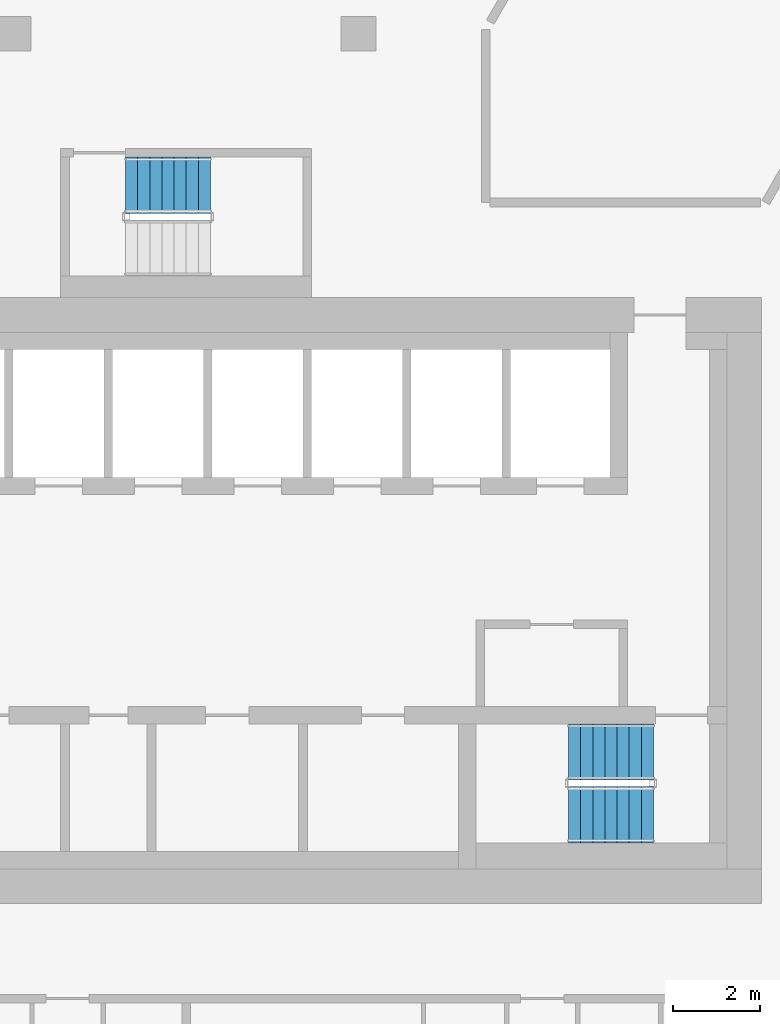
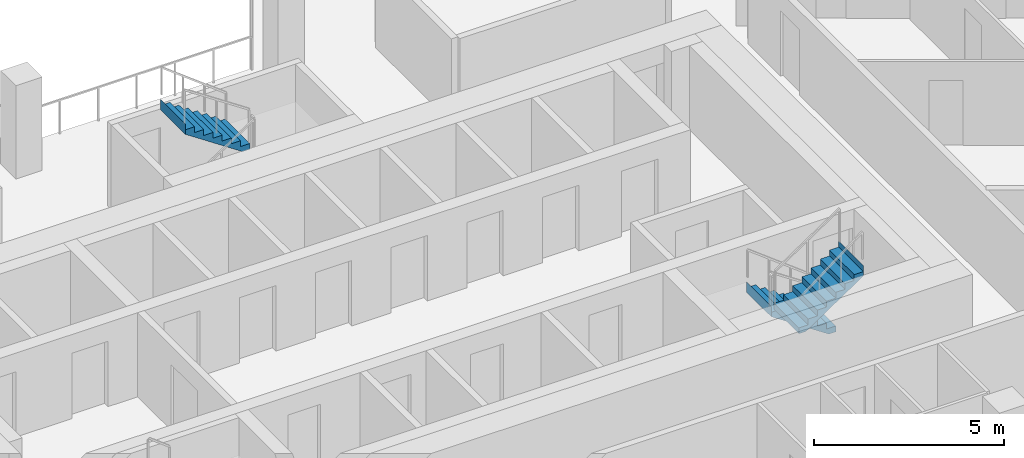
# One storey, part 11 of 15: 3 stair flights, 2 elements without a shape of their own.
"""IFC4 building model written with IfcOpenShell, lengths in metres."""

from ifc_helpers import new_model, si_unit, direction, frame, origin, place, context, subcontext, project, spatial, triangles, material, type_object, element, aggregate, save


model = new_model("IFC4")

# Units and contexts
model_context = context("Model", 3, precision=1e-05, world=origin(), true_north=direction((0.0, 1.0)))
body_context = subcontext(model_context, "Body", "Model", "MODEL_VIEW")
ifc_project = project(units=[si_unit("LENGTHUNIT", "METRE"), si_unit("AREAUNIT", "SQUARE_METRE"), si_unit("VOLUMEUNIT", "CUBIC_METRE"), si_unit("PLANEANGLEUNIT", "RADIAN"), si_unit("MASSUNIT", "GRAM", prefix="KILO")], contexts=[model_context])

# Site, building, storey
site_placement = place(None, origin())
site = spatial("IfcSite", under=ifc_project, at=site_placement, CompositionType="ELEMENT")
building_placement = place(site_placement, origin())
building = spatial("IfcBuilding", under=site, at=building_placement, Name="Beryl Residences", CompositionType="ELEMENT")
storey_placement = place(building_placement, frame((0.0, 0.0, 129.60009765625)))
storey = spatial("IfcBuildingStorey", under=building, at=storey_placement, Name="L39", CompositionType="ELEMENT", Elevation=129.60009765625)

# Stair, stair flights
ifc_material_1 = material(Name="Concrete C40/50", Category="concrete")
stair_type = type_object("IfcStairType", Name="ST1 protected exit stair, half-turn, 1300 mm flights", PredefinedType="HALF_TURN_STAIR", material=ifc_material_1)
stair_1_placement = place(storey_placement, origin())
stair_1 = element("IfcStair", 1, at=stair_1_placement, inside=storey, type_object=stair_type, Name="L39 PROTECTED EXIT STAIR ST-3", PredefinedType="HALF_TURN_STAIR")
ifc_material_2 = material(Name="Concrete C40/50", Category="concrete")
stair_flight_type = type_object("IfcStairFlightType", Name="SF1 stair flight 1300 mm", PredefinedType="STRAIGHT", material=ifc_material_2)
stair_flight_1_placement = place(storey_placement, frame((10.800048828125, -15.5, 0.0), z_axis=(0.0, 0.0, 1.0), x_axis=(-1.0, 0.0, 0.0)))
stair_flight_1 = element("IfcStairFlight", 2, at=stair_flight_1_placement, type_object=stair_flight_type, Name="ST-3 flight 1", NumberOfRisers=8, NumberOfTreads=7, PredefinedType="STRAIGHT", RiserHeight=0.1875, TreadLength=0.28, context=body_context, shape_type="Tessellation", body=[
    triangles([(0.0, -0.64990234375, 0.0), (0.0, -0.324951171875, 0.0), (0.0, 0.0, 0.0), (0.0, 0.324951171875, 0.0), (0.0, 0.64990234375, 0.0), (0.0, -0.64990234375, 0.1875), (0.0, -0.324951171875, 0.1875), (0.0, 0.0, 0.1875), (0.0, 0.324951171875, 0.1875), (0.0, 0.64990234375, 0.1875), (0.280029296875, -0.64990234375, 0.1875), (0.280029296875, -0.324951171875, 0.1875), (0.280029296875, 0.0, 0.1875), (0.280029296875, 0.324951171875, 0.1875), (0.280029296875, 0.64990234375, 0.1875), (0.280029296875, -0.64990234375, 0.375), (0.280029296875, -0.324951171875, 0.375), (0.280029296875, 0.0, 0.375), (0.280029296875, 0.324951171875, 0.375), (0.280029296875, 0.64990234375, 0.375), (0.56005859375, -0.64990234375, 0.375), (0.56005859375, -0.324951171875, 0.375), (0.56005859375, 0.0, 0.375), (0.56005859375, 0.324951171875, 0.375), (0.56005859375, 0.64990234375, 0.375), (0.56005859375, -0.64990234375, 0.5625), (0.56005859375, -0.324951171875, 0.5625), (0.56005859375, 0.0, 0.5625), (0.56005859375, 0.324951171875, 0.5625), (0.56005859375, 0.64990234375, 0.5625), (0.840087890625, -0.64990234375, 0.5625), (0.840087890625, -0.324951171875, 0.5625), (0.840087890625, 0.0, 0.5625), (0.840087890625, 0.324951171875, 0.5625), (0.840087890625, 0.64990234375, 0.5625), (0.840087890625, -0.64990234375, 0.75), (0.840087890625, -0.324951171875, 0.75), (0.840087890625, 0.0, 0.75), (0.840087890625, 0.324951171875, 0.75), (0.840087890625, 0.64990234375, 0.75), (1.1201171875, -0.64990234375, 0.75), (1.1201171875, -0.324951171875, 0.75), (1.1201171875, 0.0, 0.75), (1.1201171875, 0.324951171875, 0.75), (1.1201171875, 0.64990234375, 0.75), (1.1201171875, -0.64990234375, 0.9375), (1.1201171875, -0.324951171875, 0.9375), (1.1201171875, 0.0, 0.9375), (1.1201171875, 0.324951171875, 0.9375), (1.1201171875, 0.64990234375, 0.9375), (1.39990234375, -0.64990234375, 0.9375), (1.39990234375, -0.324951171875, 0.9375), (1.39990234375, 0.0, 0.9375), (1.39990234375, 0.324951171875, 0.9375), (1.39990234375, 0.64990234375, 0.9375), (1.39990234375, -0.64990234375, 1.125), (1.39990234375, -0.324951171875, 1.125), (1.39990234375, 0.0, 1.125), (1.39990234375, 0.324951171875, 1.125), (1.39990234375, 0.64990234375, 1.125), (1.679931640625, -0.64990234375, 1.125), (1.679931640625, -0.324951171875, 1.125), (1.679931640625, 0.0, 1.125), (1.679931640625, 0.324951171875, 1.125), (1.679931640625, 0.64990234375, 1.125), (1.679931640625, -0.64990234375, 1.3125), (1.679931640625, -0.324951171875, 1.3125), (1.679931640625, 0.0, 1.3125), (1.679931640625, 0.324951171875, 1.3125), (1.679931640625, 0.64990234375, 1.3125), (1.9599609375, -0.64990234375, 1.3125), (1.9599609375, -0.324951171875, 1.3125), (1.9599609375, 0.0, 1.3125), (1.9599609375, 0.324951171875, 1.3125), (1.9599609375, 0.64990234375, 1.3125), (1.9599609375, -0.64990234375, 1.5), (1.9599609375, -0.324951171875, 1.5), (1.9599609375, 0.0, 1.5), (1.9599609375, 0.324951171875, 1.5), (1.9599609375, 0.64990234375, 1.5), (1.9609375, -0.64990234375, 1.5), (1.9609375, -0.324951171875, 1.5), (1.9609375, 0.0, 1.5), (1.9609375, 0.324951171875, 1.5), (1.9609375, 0.64990234375, 1.5), (1.9609375, -0.64990234375, 1.16796875), (1.9609375, -0.324951171875, 1.16796875), (1.9609375, 0.0, 1.16796875), (1.9609375, 0.324951171875, 1.16796875), (1.9609375, 0.64990234375, 1.16796875), (0.216796875, -0.64990234375, 0.0), (0.216796875, -0.324951171875, 0.0), (0.216796875, 0.0, 0.0), (0.216796875, 0.324951171875, 0.0), (0.216796875, 0.64990234375, 0.0)], [[1, 6, 7], [1, 7, 2], [2, 7, 8], [2, 8, 3], [3, 8, 9], [3, 9, 4], [4, 9, 10], [4, 10, 5], [6, 11, 12], [6, 12, 7], [7, 12, 13], [7, 13, 8], [8, 13, 14], [8, 14, 9], [9, 14, 15], [9, 15, 10], [11, 16, 17], [11, 17, 12], [12, 17, 18], [12, 18, 13], [13, 18, 19], [13, 19, 14], [14, 19, 20], [14, 20, 15], [16, 21, 22], [16, 22, 17], [17, 22, 23], [17, 23, 18], [18, 23, 24], [18, 24, 19], [19, 24, 25], [19, 25, 20], [21, 26, 27], [21, 27, 22], [22, 27, 28], [22, 28, 23], [23, 28, 29], [23, 29, 24], [24, 29, 30], [24, 30, 25], [26, 31, 32], [26, 32, 27], [27, 32, 33], [27, 33, 28], [28, 33, 34], [28, 34, 29], [29, 34, 35], [29, 35, 30], [31, 36, 37], [31, 37, 32], [32, 37, 38], [32, 38, 33], [33, 38, 39], [33, 39, 34], [34, 39, 40], [34, 40, 35], [36, 41, 42], [36, 42, 37], [37, 42, 43], [37, 43, 38], [38, 43, 44], [38, 44, 39], [39, 44, 45], [39, 45, 40], [41, 46, 47], [41, 47, 42], [42, 47, 48], [42, 48, 43], [43, 48, 49], [43, 49, 44], [44, 49, 50], [44, 50, 45], [46, 51, 52], [46, 52, 47], [47, 52, 53], [47, 53, 48], [48, 53, 54], [48, 54, 49], [49, 54, 55], [49, 55, 50], [51, 56, 57], [51, 57, 52], [52, 57, 58], [52, 58, 53], [53, 58, 59], [53, 59, 54], [54, 59, 60], [54, 60, 55], [56, 61, 62], [56, 62, 57], [57, 62, 63], [57, 63, 58], [58, 63, 64], [58, 64, 59], [59, 64, 65], [59, 65, 60], [61, 66, 67], [61, 67, 62], [62, 67, 68], [62, 68, 63], [63, 68, 69], [63, 69, 64], [64, 69, 70], [64, 70, 65], [66, 71, 72], [66, 72, 67], [67, 72, 73], [67, 73, 68], [68, 73, 74], [68, 74, 69], [69, 74, 75], [69, 75, 70], [71, 76, 77], [71, 77, 72], [72, 77, 78], [72, 78, 73], [73, 78, 79], [73, 79, 74], [74, 79, 80], [74, 80, 75], [76, 81, 82], [76, 82, 77], [77, 82, 83], [77, 83, 78], [78, 83, 84], [78, 84, 79], [79, 84, 85], [79, 85, 80], [81, 86, 87], [81, 87, 82], [82, 87, 88], [82, 88, 83], [83, 88, 89], [83, 89, 84], [84, 89, 90], [84, 90, 85], [86, 91, 92], [86, 92, 87], [87, 92, 93], [87, 93, 88], [88, 93, 94], [88, 94, 89], [89, 94, 95], [89, 95, 90], [91, 1, 2], [91, 2, 92], [92, 2, 3], [92, 3, 93], [93, 3, 4], [93, 4, 94], [94, 4, 5], [94, 5, 95], [1, 91, 86], [5, 90, 95], [86, 81, 76], [90, 80, 85], [86, 76, 71], [90, 75, 80], [86, 71, 66], [90, 70, 75], [86, 66, 61], [90, 65, 70], [61, 56, 51], [65, 55, 60], [86, 61, 51], [90, 55, 65], [51, 46, 41], [55, 45, 50], [86, 51, 41], [90, 45, 55], [41, 36, 31], [45, 35, 40], [86, 41, 31], [90, 35, 45], [31, 26, 21], [35, 25, 30], [86, 31, 21], [90, 25, 35], [21, 16, 11], [25, 15, 20], [86, 21, 11], [90, 15, 25], [1, 86, 11], [5, 15, 90], [11, 6, 1], [15, 5, 10]], closed=True),
])
stair_flight_2_placement = place(storey_placement, frame((8.840087890625, -16.949951171875, 1.5), z_axis=(0.0, 0.0, 1.0), x_axis=(1.0, 0.0, 0.0)))
stair_flight_2 = element("IfcStairFlight", 3, at=stair_flight_2_placement, type_object=stair_flight_type, Name="ST-3 flight 2", NumberOfRisers=8, NumberOfTreads=7, PredefinedType="STRAIGHT", RiserHeight=0.1875, TreadLength=0.28, context=body_context, shape_type="Tessellation", body=[
    triangles([(0.0, -0.64990234375, 0.0), (0.0, -0.324951171875, 0.0), (0.0, 0.0, 0.0), (0.0, 0.324951171875, 0.0), (0.0, 0.64990234375, 0.0), (0.0, -0.64990234375, 0.1875), (0.0, -0.324951171875, 0.1875), (0.0, 0.0, 0.1875), (0.0, 0.324951171875, 0.1875), (0.0, 0.64990234375, 0.1875), (0.280029296875, -0.64990234375, 0.1875), (0.280029296875, -0.324951171875, 0.1875), (0.280029296875, 0.0, 0.1875), (0.280029296875, 0.324951171875, 0.1875), (0.280029296875, 0.64990234375, 0.1875), (0.280029296875, -0.64990234375, 0.375), (0.280029296875, -0.324951171875, 0.375), (0.280029296875, 0.0, 0.375), (0.280029296875, 0.324951171875, 0.375), (0.280029296875, 0.64990234375, 0.375), (0.56005859375, -0.64990234375, 0.375), (0.56005859375, -0.324951171875, 0.375), (0.56005859375, 0.0, 0.375), (0.56005859375, 0.324951171875, 0.375), (0.56005859375, 0.64990234375, 0.375), (0.56005859375, -0.64990234375, 0.5625), (0.56005859375, -0.324951171875, 0.5625), (0.56005859375, 0.0, 0.5625), (0.56005859375, 0.324951171875, 0.5625), (0.56005859375, 0.64990234375, 0.5625), (0.840087890625, -0.64990234375, 0.5625), (0.840087890625, -0.324951171875, 0.5625), (0.840087890625, 0.0, 0.5625), (0.840087890625, 0.324951171875, 0.5625), (0.840087890625, 0.64990234375, 0.5625), (0.840087890625, -0.64990234375, 0.75), (0.840087890625, -0.324951171875, 0.75), (0.840087890625, 0.0, 0.75), (0.840087890625, 0.324951171875, 0.75), (0.840087890625, 0.64990234375, 0.75), (1.1201171875, -0.64990234375, 0.75), (1.1201171875, -0.324951171875, 0.75), (1.1201171875, 0.0, 0.75), (1.1201171875, 0.324951171875, 0.75), (1.1201171875, 0.64990234375, 0.75), (1.1201171875, -0.64990234375, 0.9375), (1.1201171875, -0.324951171875, 0.9375), (1.1201171875, 0.0, 0.9375), (1.1201171875, 0.324951171875, 0.9375), (1.1201171875, 0.64990234375, 0.9375), (1.39990234375, -0.64990234375, 0.9375), (1.39990234375, -0.324951171875, 0.9375), (1.39990234375, 0.0, 0.9375), (1.39990234375, 0.324951171875, 0.9375), (1.39990234375, 0.64990234375, 0.9375), (1.39990234375, -0.64990234375, 1.125), (1.39990234375, -0.324951171875, 1.125), (1.39990234375, 0.0, 1.125), (1.39990234375, 0.324951171875, 1.125), (1.39990234375, 0.64990234375, 1.125), (1.679931640625, -0.64990234375, 1.125), (1.679931640625, -0.324951171875, 1.125), (1.679931640625, 0.0, 1.125), (1.679931640625, 0.324951171875, 1.125), (1.679931640625, 0.64990234375, 1.125), (1.679931640625, -0.64990234375, 1.3125), (1.679931640625, -0.324951171875, 1.3125), (1.679931640625, 0.0, 1.3125), (1.679931640625, 0.324951171875, 1.3125), (1.679931640625, 0.64990234375, 1.3125), (1.9599609375, -0.64990234375, 1.3125), (1.9599609375, -0.324951171875, 1.3125), (1.9599609375, 0.0, 1.3125), (1.9599609375, 0.324951171875, 1.3125), (1.9599609375, 0.64990234375, 1.3125), (1.9599609375, -0.64990234375, 1.5), (1.9599609375, -0.324951171875, 1.5), (1.9599609375, 0.0, 1.5), (1.9599609375, 0.324951171875, 1.5), (1.9599609375, 0.64990234375, 1.5), (1.9609375, -0.64990234375, 1.5), (1.9609375, -0.324951171875, 1.5), (1.9609375, 0.0, 1.5), (1.9609375, 0.324951171875, 1.5), (1.9609375, 0.64990234375, 1.5), (1.9609375, -0.64990234375, 1.16796875), (1.9609375, -0.324951171875, 1.16796875), (1.9609375, 0.0, 1.16796875), (1.9609375, 0.324951171875, 1.16796875), (1.9609375, 0.64990234375, 1.16796875), (0.216796875, -0.64990234375, 0.0), (0.216796875, -0.324951171875, 0.0), (0.216796875, 0.0, 0.0), (0.216796875, 0.324951171875, 0.0), (0.216796875, 0.64990234375, 0.0)], [[1, 6, 7], [1, 7, 2], [2, 7, 8], [2, 8, 3], [3, 8, 9], [3, 9, 4], [4, 9, 10], [4, 10, 5], [6, 11, 12], [6, 12, 7], [7, 12, 13], [7, 13, 8], [8, 13, 14], [8, 14, 9], [9, 14, 15], [9, 15, 10], [11, 16, 17], [11, 17, 12], [12, 17, 18], [12, 18, 13], [13, 18, 19], [13, 19, 14], [14, 19, 20], [14, 20, 15], [16, 21, 22], [16, 22, 17], [17, 22, 23], [17, 23, 18], [18, 23, 24], [18, 24, 19], [19, 24, 25], [19, 25, 20], [21, 26, 27], [21, 27, 22], [22, 27, 28], [22, 28, 23], [23, 28, 29], [23, 29, 24], [24, 29, 30], [24, 30, 25], [26, 31, 32], [26, 32, 27], [27, 32, 33], [27, 33, 28], [28, 33, 34], [28, 34, 29], [29, 34, 35], [29, 35, 30], [31, 36, 37], [31, 37, 32], [32, 37, 38], [32, 38, 33], [33, 38, 39], [33, 39, 34], [34, 39, 40], [34, 40, 35], [36, 41, 42], [36, 42, 37], [37, 42, 43], [37, 43, 38], [38, 43, 44], [38, 44, 39], [39, 44, 45], [39, 45, 40], [41, 46, 47], [41, 47, 42], [42, 47, 48], [42, 48, 43], [43, 48, 49], [43, 49, 44], [44, 49, 50], [44, 50, 45], [46, 51, 52], [46, 52, 47], [47, 52, 53], [47, 53, 48], [48, 53, 54], [48, 54, 49], [49, 54, 55], [49, 55, 50], [51, 56, 57], [51, 57, 52], [52, 57, 58], [52, 58, 53], [53, 58, 59], [53, 59, 54], [54, 59, 60], [54, 60, 55], [56, 61, 62], [56, 62, 57], [57, 62, 63], [57, 63, 58], [58, 63, 64], [58, 64, 59], [59, 64, 65], [59, 65, 60], [61, 66, 67], [61, 67, 62], [62, 67, 68], [62, 68, 63], [63, 68, 69], [63, 69, 64], [64, 69, 70], [64, 70, 65], [66, 71, 72], [66, 72, 67], [67, 72, 73], [67, 73, 68], [68, 73, 74], [68, 74, 69], [69, 74, 75], [69, 75, 70], [71, 76, 77], [71, 77, 72], [72, 77, 78], [72, 78, 73], [73, 78, 79], [73, 79, 74], [74, 79, 80], [74, 80, 75], [76, 81, 82], [76, 82, 77], [77, 82, 83], [77, 83, 78], [78, 83, 84], [78, 84, 79], [79, 84, 85], [79, 85, 80], [81, 86, 87], [81, 87, 82], [82, 87, 88], [82, 88, 83], [83, 88, 89], [83, 89, 84], [84, 89, 90], [84, 90, 85], [86, 91, 92], [86, 92, 87], [87, 92, 93], [87, 93, 88], [88, 93, 94], [88, 94, 89], [89, 94, 95], [89, 95, 90], [91, 1, 2], [91, 2, 92], [92, 2, 3], [92, 3, 93], [93, 3, 4], [93, 4, 94], [94, 4, 5], [94, 5, 95], [1, 91, 86], [5, 90, 95], [86, 81, 76], [90, 80, 85], [86, 76, 71], [90, 75, 80], [86, 71, 66], [90, 70, 75], [86, 66, 61], [90, 65, 70], [61, 56, 51], [65, 55, 60], [86, 61, 51], [90, 55, 65], [51, 46, 41], [55, 45, 50], [86, 51, 41], [90, 45, 55], [41, 36, 31], [45, 35, 40], [86, 41, 31], [90, 35, 45], [31, 26, 21], [35, 25, 30], [86, 31, 21], [90, 25, 35], [21, 16, 11], [25, 15, 20], [86, 21, 11], [90, 15, 25], [1, 86, 11], [5, 15, 90], [11, 6, 1], [15, 5, 10]], closed=True),
])
aggregate(stair_1, [stair_flight_1, stair_flight_2])

# Stair, stair flight
stair_2_placement = place(storey_placement, origin())
stair_2 = element("IfcStair", 4, at=stair_2_placement, inside=storey, type_object=stair_type, Name="L39 PROTECTED EXIT STAIR ST-4", PredefinedType="HALF_TURN_STAIR")
stair_flight_3_placement = place(storey_placement, frame((0.56005859375, -2.39990234375, 1.5), z_axis=(0.0, 0.0, 1.0), x_axis=(-1.0, 0.0, 0.0)))
stair_flight_3 = element("IfcStairFlight", 5, at=stair_flight_3_placement, type_object=stair_flight_type, Name="ST-4 flight 2", NumberOfRisers=8, NumberOfTreads=7, PredefinedType="STRAIGHT", RiserHeight=0.1875, TreadLength=0.28, context=body_context, shape_type="Tessellation", body=[
    triangles([(0.0, -0.64990234375, 0.0), (0.0, -0.324951171875, 0.0), (0.0, 0.0, 0.0), (0.0, 0.324951171875, 0.0), (0.0, 0.64990234375, 0.0), (0.0, -0.64990234375, 0.1875), (0.0, -0.324951171875, 0.1875), (0.0, 0.0, 0.1875), (0.0, 0.324951171875, 0.1875), (0.0, 0.64990234375, 0.1875), (0.280029296875, -0.64990234375, 0.1875), (0.280029296875, -0.324951171875, 0.1875), (0.280029296875, 0.0, 0.1875), (0.280029296875, 0.324951171875, 0.1875), (0.280029296875, 0.64990234375, 0.1875), (0.280029296875, -0.64990234375, 0.375), (0.280029296875, -0.324951171875, 0.375), (0.280029296875, 0.0, 0.375), (0.280029296875, 0.324951171875, 0.375), (0.280029296875, 0.64990234375, 0.375), (0.56005859375, -0.64990234375, 0.375), (0.56005859375, -0.324951171875, 0.375), (0.56005859375, 0.0, 0.375), (0.56005859375, 0.324951171875, 0.375), (0.56005859375, 0.64990234375, 0.375), (0.56005859375, -0.64990234375, 0.5625), (0.56005859375, -0.324951171875, 0.5625), (0.56005859375, 0.0, 0.5625), (0.56005859375, 0.324951171875, 0.5625), (0.56005859375, 0.64990234375, 0.5625), (0.840087890625, -0.64990234375, 0.5625), (0.840087890625, -0.324951171875, 0.5625), (0.840087890625, 0.0, 0.5625), (0.840087890625, 0.324951171875, 0.5625), (0.840087890625, 0.64990234375, 0.5625), (0.840087890625, -0.64990234375, 0.75), (0.840087890625, -0.324951171875, 0.75), (0.840087890625, 0.0, 0.75), (0.840087890625, 0.324951171875, 0.75), (0.840087890625, 0.64990234375, 0.75), (1.1201171875, -0.64990234375, 0.75), (1.1201171875, -0.324951171875, 0.75), (1.1201171875, 0.0, 0.75), (1.1201171875, 0.324951171875, 0.75), (1.1201171875, 0.64990234375, 0.75), (1.1201171875, -0.64990234375, 0.9375), (1.1201171875, -0.324951171875, 0.9375), (1.1201171875, 0.0, 0.9375), (1.1201171875, 0.324951171875, 0.9375), (1.1201171875, 0.64990234375, 0.9375), (1.39990234375, -0.64990234375, 0.9375), (1.39990234375, -0.324951171875, 0.9375), (1.39990234375, 0.0, 0.9375), (1.39990234375, 0.324951171875, 0.9375), (1.39990234375, 0.64990234375, 0.9375), (1.39990234375, -0.64990234375, 1.125), (1.39990234375, -0.324951171875, 1.125), (1.39990234375, 0.0, 1.125), (1.39990234375, 0.324951171875, 1.125), (1.39990234375, 0.64990234375, 1.125), (1.679931640625, -0.64990234375, 1.125), (1.679931640625, -0.324951171875, 1.125), (1.679931640625, 0.0, 1.125), (1.679931640625, 0.324951171875, 1.125), (1.679931640625, 0.64990234375, 1.125), (1.679931640625, -0.64990234375, 1.3125), (1.679931640625, -0.324951171875, 1.3125), (1.679931640625, 0.0, 1.3125), (1.679931640625, 0.324951171875, 1.3125), (1.679931640625, 0.64990234375, 1.3125), (1.9599609375, -0.64990234375, 1.3125), (1.9599609375, -0.324951171875, 1.3125), (1.9599609375, 0.0, 1.3125), (1.9599609375, 0.324951171875, 1.3125), (1.9599609375, 0.64990234375, 1.3125), (1.9599609375, -0.64990234375, 1.5), (1.9599609375, -0.324951171875, 1.5), (1.9599609375, 0.0, 1.5), (1.9599609375, 0.324951171875, 1.5), (1.9599609375, 0.64990234375, 1.5), (1.9609375, -0.64990234375, 1.5), (1.9609375, -0.324951171875, 1.5), (1.9609375, 0.0, 1.5), (1.9609375, 0.324951171875, 1.5), (1.9609375, 0.64990234375, 1.5), (1.9609375, -0.64990234375, 1.16796875), (1.9609375, -0.324951171875, 1.16796875), (1.9609375, 0.0, 1.16796875), (1.9609375, 0.324951171875, 1.16796875), (1.9609375, 0.64990234375, 1.16796875), (0.216796875, -0.64990234375, 0.0), (0.216796875, -0.324951171875, 0.0), (0.216796875, 0.0, 0.0), (0.216796875, 0.324951171875, 0.0), (0.216796875, 0.64990234375, 0.0)], [[1, 6, 7], [1, 7, 2], [2, 7, 8], [2, 8, 3], [3, 8, 9], [3, 9, 4], [4, 9, 10], [4, 10, 5], [6, 11, 12], [6, 12, 7], [7, 12, 13], [7, 13, 8], [8, 13, 14], [8, 14, 9], [9, 14, 15], [9, 15, 10], [11, 16, 17], [11, 17, 12], [12, 17, 18], [12, 18, 13], [13, 18, 19], [13, 19, 14], [14, 19, 20], [14, 20, 15], [16, 21, 22], [16, 22, 17], [17, 22, 23], [17, 23, 18], [18, 23, 24], [18, 24, 19], [19, 24, 25], [19, 25, 20], [21, 26, 27], [21, 27, 22], [22, 27, 28], [22, 28, 23], [23, 28, 29], [23, 29, 24], [24, 29, 30], [24, 30, 25], [26, 31, 32], [26, 32, 27], [27, 32, 33], [27, 33, 28], [28, 33, 34], [28, 34, 29], [29, 34, 35], [29, 35, 30], [31, 36, 37], [31, 37, 32], [32, 37, 38], [32, 38, 33], [33, 38, 39], [33, 39, 34], [34, 39, 40], [34, 40, 35], [36, 41, 42], [36, 42, 37], [37, 42, 43], [37, 43, 38], [38, 43, 44], [38, 44, 39], [39, 44, 45], [39, 45, 40], [41, 46, 47], [41, 47, 42], [42, 47, 48], [42, 48, 43], [43, 48, 49], [43, 49, 44], [44, 49, 50], [44, 50, 45], [46, 51, 52], [46, 52, 47], [47, 52, 53], [47, 53, 48], [48, 53, 54], [48, 54, 49], [49, 54, 55], [49, 55, 50], [51, 56, 57], [51, 57, 52], [52, 57, 58], [52, 58, 53], [53, 58, 59], [53, 59, 54], [54, 59, 60], [54, 60, 55], [56, 61, 62], [56, 62, 57], [57, 62, 63], [57, 63, 58], [58, 63, 64], [58, 64, 59], [59, 64, 65], [59, 65, 60], [61, 66, 67], [61, 67, 62], [62, 67, 68], [62, 68, 63], [63, 68, 69], [63, 69, 64], [64, 69, 70], [64, 70, 65], [66, 71, 72], [66, 72, 67], [67, 72, 73], [67, 73, 68], [68, 73, 74], [68, 74, 69], [69, 74, 75], [69, 75, 70], [71, 76, 77], [71, 77, 72], [72, 77, 78], [72, 78, 73], [73, 78, 79], [73, 79, 74], [74, 79, 80], [74, 80, 75], [76, 81, 82], [76, 82, 77], [77, 82, 83], [77, 83, 78], [78, 83, 84], [78, 84, 79], [79, 84, 85], [79, 85, 80], [81, 86, 87], [81, 87, 82], [82, 87, 88], [82, 88, 83], [83, 88, 89], [83, 89, 84], [84, 89, 90], [84, 90, 85], [86, 91, 92], [86, 92, 87], [87, 92, 93], [87, 93, 88], [88, 93, 94], [88, 94, 89], [89, 94, 95], [89, 95, 90], [91, 1, 2], [91, 2, 92], [92, 2, 3], [92, 3, 93], [93, 3, 4], [93, 4, 94], [94, 4, 5], [94, 5, 95], [1, 91, 86], [5, 90, 95], [86, 81, 76], [90, 80, 85], [86, 76, 71], [90, 75, 80], [86, 71, 66], [90, 70, 75], [86, 66, 61], [90, 65, 70], [61, 56, 51], [65, 55, 60], [86, 61, 51], [90, 55, 65], [51, 46, 41], [55, 45, 50], [86, 51, 41], [90, 45, 55], [41, 36, 31], [45, 35, 40], [86, 41, 31], [90, 35, 45], [31, 26, 21], [35, 25, 30], [86, 31, 21], [90, 25, 35], [21, 16, 11], [25, 15, 20], [86, 21, 11], [90, 15, 25], [1, 86, 11], [5, 15, 90], [11, 6, 1], [15, 5, 10]], closed=True),
])
aggregate(stair_2, [stair_flight_3])

save(model, "model.ifc")
